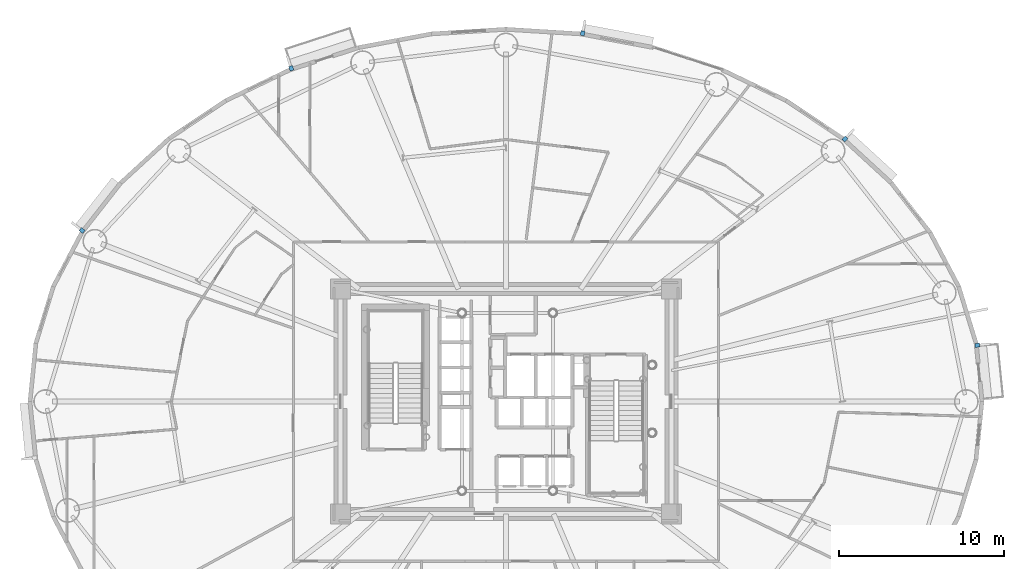
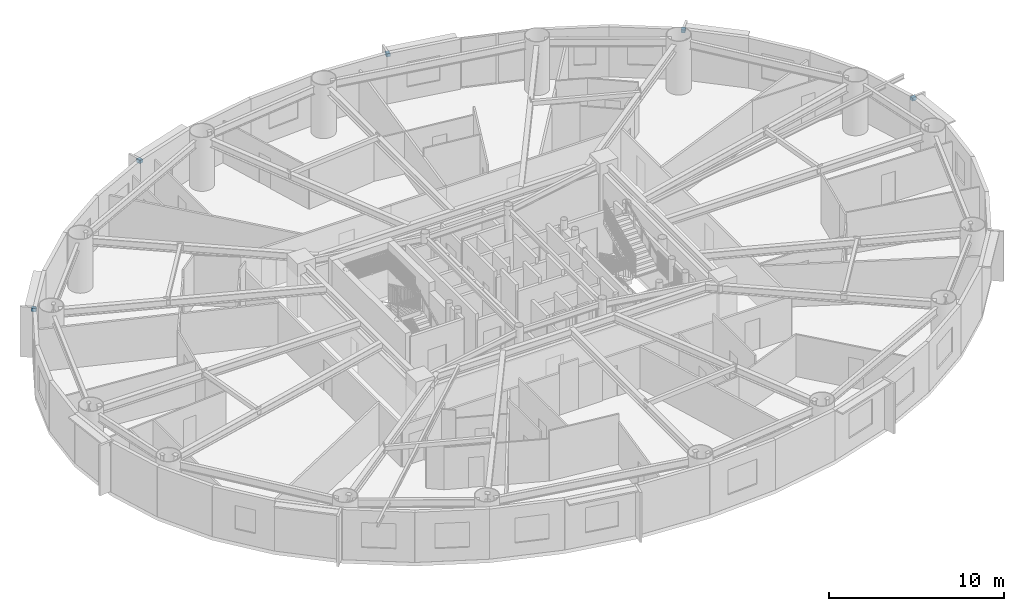
# One storey, part 15 of 21: 5 discrete accessories.
"""IFC4 building model written with IfcOpenShell, lengths in metres."""

from ifc_helpers import new_model, si_unit, direction, frame, origin, origin_2d, place, context, subcontext, project, spatial, rectangle, extrude, source, transform, mapped, material, type_object, element, save


model = new_model("IFC4")

# Units and contexts
model_context = context("Model", 3, precision=1e-05, world=origin(), true_north=direction((0.0, 1.0)))
body_context = subcontext(model_context, "Body", "Model", "MODEL_VIEW")
ifc_project = project(units=[si_unit("LENGTHUNIT", "METRE"), si_unit("AREAUNIT", "SQUARE_METRE"), si_unit("VOLUMEUNIT", "CUBIC_METRE"), si_unit("PLANEANGLEUNIT", "RADIAN"), si_unit("MASSUNIT", "GRAM", prefix="KILO")], contexts=[model_context])

# Site, building, storey
site_placement = place(None, origin())
site = spatial("IfcSite", under=ifc_project, at=site_placement, CompositionType="ELEMENT")
building_placement = place(site_placement, origin())
building = spatial("IfcBuilding", under=site, at=building_placement, Name="Linh Dai School and Residence Tower", CompositionType="ELEMENT")
storey_placement = place(building_placement, frame((0.0, 0.0, 97.199951171875)))
storey = spatial("IfcBuildingStorey", under=building, at=storey_placement, Name="L22", CompositionType="ELEMENT", Elevation=97.199951171875)

# Discrete accessories
ifc_material = material(Name="Structural Steel S355JR", Category="steel")
discrete_accessory_type = type_object("IfcDiscreteAccessoryType", Name="ACC-BRK-S355", PredefinedType="BRACKET", material=ifc_material)
shared_shape = source(origin(), body_context, "Body", "SweptSolid", [
    extrude(rectangle(XDim=0.280029296875, YDim=0.239990234375, at=origin_2d()), origin(), (0.0, 0.0, 1.0), 0.219970703125),
])
for number, where, z_axis, x_axis, name in (
    (1, (64.493408203125, 30.40185546875, 3.25), (0.0, 0.0, 1.0), (0.994986703684, 0.100007297192, 0.0), "L22 Facade Frame Anchor Bracket 01"),
    (2, (56.4873046875, 42.866455078125, 3.25), (0.0, 0.0, 1.0), (0.675783395482, 0.737100266172, 0.0), "L22 Facade Frame Anchor Bracket 05"),
    (3, (40.634521484375, 49.26416015625, 3.25), (0.0, 0.0, 1.0), (0.18475466193, 0.982784673718, 0.0), "L22 Facade Frame Anchor Bracket 09"),
    (4, (23.021728515625, 47.1416015625, 3.25), (0.0, 0.0, 1.0), (-0.308522363457, 0.951217089442, 0.0), "L22 Facade Frame Anchor Bracket 13"),
    (5, (10.38134765625, 37.337158203125, 3.25), (0.0, 0.0, 1.0), (-0.787507539838, 0.616305017583, 0.0), "L22 Facade Frame Anchor Bracket 17"),
):
    element("IfcDiscreteAccessory", number, at=place(storey_placement, frame(where, z_axis=z_axis, x_axis=x_axis)), inside=storey, type_object=discrete_accessory_type, Name=name, PredefinedType="BRACKET", context=body_context, shape_type="MappedRepresentation", body=[
        mapped(shared_shape, transform((0.0, 0.0, 0.0), x_axis=(1.0, 0.0, 0.0), y_axis=(0.0, 1.0, 0.0), z_axis=(0.0, 0.0, 1.0), scale=1.0)),
    ])

save(model, "model.ifc")
